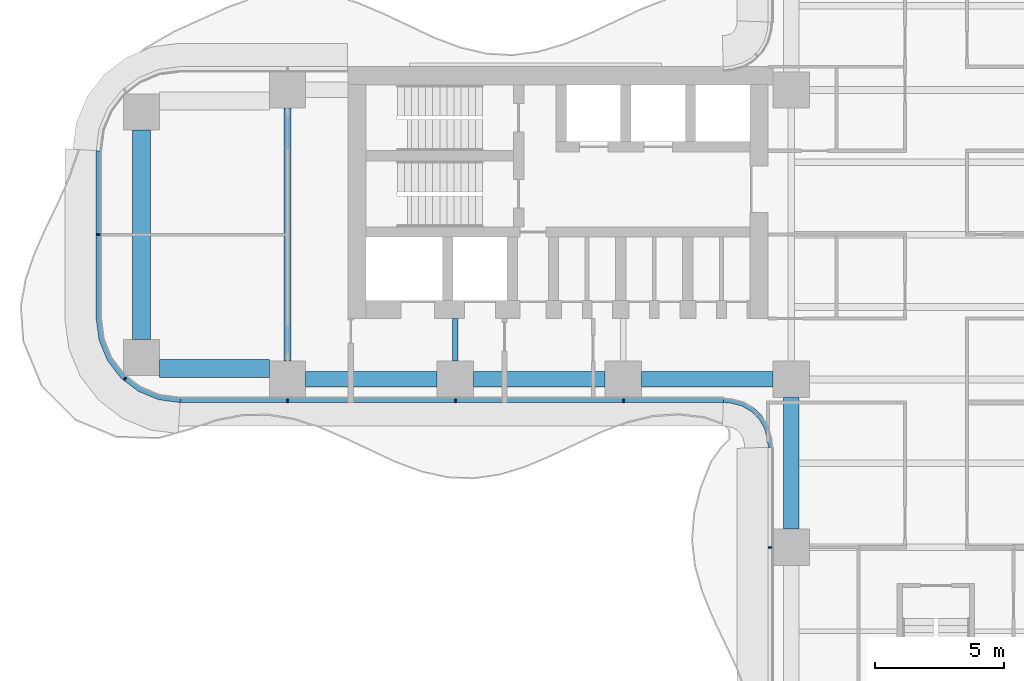
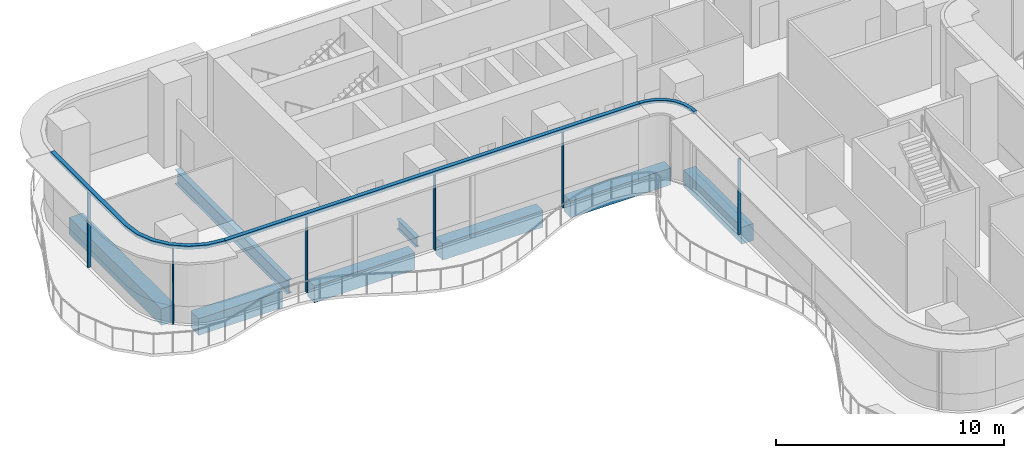
# One storey, part 3 of 22: 9 members, 8 beams, 4 elements without a shape of their own.
"""IFC4 building model written with IfcOpenShell, lengths in metres."""

from ifc_helpers import new_model, si_unit, direction, frame, origin, origin_2d, place, context, subcontext, project, spatial, polyline, rectangle, i_section, outline, extrude, source, transform, mapped, material, layer, layer_set, material_profile, profile_set, type_object, element, aggregate, save


model = new_model("IFC4")

# Units and contexts
model_context = context("Model", 3, precision=1e-05, world=origin(), true_north=direction((0.0, 1.0)))
body_context = subcontext(model_context, "Body", "Model", "MODEL_VIEW")
ifc_project = project(units=[si_unit("LENGTHUNIT", "METRE"), si_unit("AREAUNIT", "SQUARE_METRE"), si_unit("VOLUMEUNIT", "CUBIC_METRE"), si_unit("PLANEANGLEUNIT", "RADIAN"), si_unit("MASSUNIT", "GRAM", prefix="KILO")], contexts=[model_context])

# Site, building, storey
site_placement = place(None, origin())
site = spatial("IfcSite", under=ifc_project, at=site_placement, CompositionType="ELEMENT")
building_placement = place(site_placement, origin())
building = spatial("IfcBuilding", under=site, at=building_placement, Name="Trellis Farm Tower", CompositionType="ELEMENT")
storey_placement = place(building_placement, frame((0.0, 0.0, 79.0)))
storey = spatial("IfcBuildingStorey", under=building, at=storey_placement, Name="L16", CompositionType="ELEMENT", Elevation=79.0)

# Beams
ifc_material_1 = material(Name="Concrete C60/75", Category="concrete")
ifc_material_profile_1 = material_profile(ifc_material_1, rectangle(XDim=0.60009765625, YDim=0.89990234375, at=origin_2d()), Name="RC spandrel beam 600x900 C60/75")
ifc_profile_set_1 = profile_set([ifc_material_profile_1], Name="Concrete C60/75")
beam_type_1 = type_object("IfcBeamType", Name="RC spandrel beam 600x900 C60/75", PredefinedType="SPANDREL", material=ifc_profile_set_1)
shared_shape_1 = source(origin(), body_context, "Body", "SweptSolid", [
    extrude(rectangle(XDim=0.60009765625, YDim=0.89990234375, at=origin_2d()), origin(), (0.0, 0.0, 1.0), 5.099853515625),
])
for number, where, z_axis, x_axis, name in (
    (1, (-24.39990234375, -5.60009765625, -0.699951171875), (1.0, 0.0, 0.0), (0.0, 1.0, 0.0), "Girder"),
    (2, (-17.89990234375, -5.60009765625, -0.699951171875), (1.0, 0.0, 0.0), (0.0, 1.0, 0.0), "Girder"),
    (3, (-11.39990234375, -5.60009765625, -0.699951171875), (1.0, 0.0, 0.0), (0.0, 1.0, 0.0), "Girder"),
    (4, (-5.60009765625, -11.39990234375, -0.699951171875), (0.0, 1.0, 0.0), (-1.0, 0.0, 0.0), "Girder"),
):
    element("IfcBeam", number, at=place(storey_placement, frame(where, z_axis=z_axis, x_axis=x_axis)), inside=storey, type_object=beam_type_1, Name=name, PredefinedType="SPANDREL", context=body_context, shape_type="MappedRepresentation", body=[
        mapped(shared_shape_1, transform((0.0, 0.0, 0.0))),
    ])
ifc_material_2 = material(Name="Steel S355", Category="steel")
ifc_material_profile_2 = material_profile(ifc_material_2, i_section(OverallWidth=0.2666015625, OverallDepth=0.76220703125, WebThickness=0.014404296875, FlangeThickness=0.021484375, FilletRadius=0.0166015625, at=origin_2d()), Name="UB 762x267x173")
ifc_profile_set_2 = profile_set([ifc_material_profile_2], Name="Steel S355")
beam_type_2 = type_object("IfcBeamType", Name="UB 762x267x173", PredefinedType="BEAM", material=ifc_profile_set_2)
shared_shape_2 = source(origin(), body_context, "Body", "SweptSolid", [
    extrude(i_section(OverallWidth=0.2666015625, OverallDepth=0.76220703125, WebThickness=0.014404296875, FlangeThickness=0.021484375, FilletRadius=0.0166015625, at=origin_2d()), origin(), (0.0, 0.0, 1.0), 9.7998046875),
])
beam_1_placement = place(storey_placement, frame((-25.10009765625, -4.89990234375, -0.631103515625), z_axis=(0.0, 1.0, 0.0), x_axis=(-1.0, 0.0, 0.0)))
element("IfcBeam", 5, at=beam_1_placement, inside=storey, type_object=beam_type_2, Name="Girder", PredefinedType="BEAM", context=body_context, shape_type="MappedRepresentation", body=[
    mapped(shared_shape_2, transform((0.0, 0.0, 0.0))),
])
ifc_material_profile_3 = material_profile(ifc_material_1, rectangle(XDim=0.699951171875, YDim=0.89990234375, at=origin_2d()), Name="RC spandrel beam 700x900 C60/75")
ifc_profile_set_3 = profile_set([ifc_material_profile_3], Name="Concrete C60/75")
beam_type_3 = type_object("IfcBeamType", Name="RC spandrel beam 700x900 C60/75", PredefinedType="SPANDREL", material=ifc_profile_set_3)
shared_shape_3 = source(origin(), body_context, "Body", "SweptSolid", [
    extrude(rectangle(XDim=0.699951171875, YDim=0.89990234375, at=origin_2d()), origin(), (0.0, 0.0, 1.0), 4.25),
])
beam_2_placement = place(storey_placement, frame((-30.050048828125, -5.175048828125, -0.699951171875), z_axis=(1.0, 0.0, 0.0), x_axis=(0.0, 1.0, 0.0)))
element("IfcBeam", 6, at=beam_2_placement, inside=storey, type_object=beam_type_3, Name="Girder", PredefinedType="SPANDREL", context=body_context, shape_type="MappedRepresentation", body=[
    mapped(shared_shape_3, transform((0.0, 0.0, 0.0))),
])
shared_shape_4 = source(origin(), body_context, "Body", "SweptSolid", [
    extrude(rectangle(XDim=0.699951171875, YDim=0.89990234375, at=origin_2d()), origin(), (0.0, 0.0, 1.0), 8.10009765625),
])
beam_3_placement = place(storey_placement, frame((-30.75, -4.050048828125, -0.699951171875), z_axis=(0.0, 1.0, 0.0), x_axis=(-1.0, 0.0, 0.0)))
element("IfcBeam", 7, at=beam_3_placement, inside=storey, type_object=beam_type_3, Name="Girder", PredefinedType="SPANDREL", context=body_context, shape_type="MappedRepresentation", body=[
    mapped(shared_shape_4, transform((0.0, 0.0, 0.0))),
])
ifc_material_profile_4 = material_profile(ifc_material_2, i_section(OverallWidth=0.209228515625, OverallDepth=0.533203125, WebThickness=0.010009765625, FlangeThickness=0.015625, FilletRadius=0.0126953125, at=origin_2d()), Name="UB 533x210x92")
ifc_profile_set_4 = profile_set([ifc_material_profile_4], Name="Steel S355")
beam_type_4 = type_object("IfcBeamType", Name="UB 533x210x92", PredefinedType="BEAM", material=ifc_profile_set_4)
shared_shape_5 = source(origin(), body_context, "Body", "SweptSolid", [
    extrude(i_section(OverallWidth=0.209228515625, OverallDepth=0.533203125, WebThickness=0.010009765625, FlangeThickness=0.015625, FilletRadius=0.0126953125, at=origin_2d()), origin(), (0.0, 0.0, 1.0), 1.64990234375),
])
beam_4_placement = place(storey_placement, frame((-18.60009765625, -4.89990234375, -0.5166015625), z_axis=(0.0, 1.0, 0.0), x_axis=(-1.0, 0.0, 0.0)))
element("IfcBeam", 8, at=beam_4_placement, inside=storey, type_object=beam_type_4, Name="Girder", PredefinedType="BEAM", context=body_context, shape_type="MappedRepresentation", body=[
    mapped(shared_shape_5, transform((0.0, 0.0, 0.0))),
])

# Curtain wall, members
ifc_material_3 = material(Name="Aluminium and glass curtain wall", Category="aluminium")
ifc_layer_1 = layer(ifc_material_3, 0.18994140625)
ifc_layer_set_1 = layer_set([ifc_layer_1], Name="RIBBON CURTAIN WALL CW1")
curtain_wall_type_1 = type_object("IfcCurtainWallType", Name="RIBBON CURTAIN WALL CW1", PredefinedType="NOTDEFINED", material=ifc_layer_set_1)
placement_1 = place(storey_placement, origin())
curtain_wall_1 = element("IfcCurtainWall", 9, at=placement_1, inside=storey, type_object=curtain_wall_type_1, Name="CW1 001", PredefinedType="NOTDEFINED")
ifc_material_4 = material(Name="Aluminium extrusion 6063-T6", Category="aluminium")
ifc_material_profile_5 = material_profile(ifc_material_4, rectangle(XDim=0.06005859375, YDim=0.14990234375, at=origin_2d()), Name="MULLION 60x150")
ifc_profile_set_5 = profile_set([ifc_material_profile_5], Name="Aluminium extrusion 6063-T6")
member_type_1 = type_object("IfcMemberType", Name="CW1 MULLION 60x150", PredefinedType="MULLION", material=ifc_profile_set_5)
shared_shape_6 = source(origin(), body_context, "Body", "SweptSolid", [
    extrude(rectangle(XDim=0.06005859375, YDim=0.14990234375, at=origin_2d()), origin(), (0.0, 0.0, 1.0), 4.070068359375),
])
member_1_placement = place(storey_placement, frame((-25.10009765625, -6.425048828125, 0.0), z_axis=(0.0, 0.0, 1.0), x_axis=(1.0, 0.0, 0.0)))
member_1 = element("IfcMember", 10, at=member_1_placement, type_object=member_type_1, Name="MU1 001-01", PredefinedType="MULLION", context=body_context, shape_type="MappedRepresentation", body=[
    mapped(shared_shape_6, transform((0.0, 0.0, 0.0))),
])
member_2_placement = place(storey_placement, frame((-18.60009765625, -6.425048828125, 0.0), z_axis=(0.0, 0.0, 1.0), x_axis=(1.0, 0.0, 0.0)))
member_2 = element("IfcMember", 11, at=member_2_placement, type_object=member_type_1, Name="MU1 001-02", PredefinedType="MULLION", context=body_context, shape_type="MappedRepresentation", body=[
    mapped(shared_shape_6, transform((0.0, 0.0, 0.0))),
])
member_3_placement = place(storey_placement, frame((-12.10009765625, -6.425048828125, 0.0), z_axis=(0.0, 0.0, 1.0), x_axis=(1.0, 0.0, 0.0)))
member_3 = element("IfcMember", 12, at=member_3_placement, type_object=member_type_1, Name="MU1 001-03", PredefinedType="MULLION", context=body_context, shape_type="MappedRepresentation", body=[
    mapped(shared_shape_6, transform((0.0, 0.0, 0.0))),
])

# Curtain wall, member
curtain_wall_2 = element("IfcCurtainWall", 13, at=placement_1, inside=storey, type_object=curtain_wall_type_1, Name="CW1 002", PredefinedType="NOTDEFINED")
member_4_placement = place(storey_placement, frame((-6.425048828125, -12.10009765625, 0.0), z_axis=(0.0, 0.0, 1.0), x_axis=(0.0, -1.0, 0.0)))
member_4 = element("IfcMember", 14, at=member_4_placement, type_object=member_type_1, Name="MU1 002-01", PredefinedType="MULLION", context=body_context, shape_type="MappedRepresentation", body=[
    mapped(shared_shape_6, transform((0.0, 0.0, 0.0))),
])
aggregate(curtain_wall_2, [member_4])

# Curtain wall, members
curtain_wall_3 = element("IfcCurtainWall", 15, at=placement_1, inside=storey, type_object=curtain_wall_type_1, Name="CW1 013", PredefinedType="NOTDEFINED")
member_5_placement = place(storey_placement, frame((-32.425048828125, 0.0, 0.0), z_axis=(0.0, 0.0, 1.0), x_axis=(0.0, -1.0, 0.0)))
member_5 = element("IfcMember", 16, at=member_5_placement, type_object=member_type_1, Name="MU1 013-01", PredefinedType="MULLION", context=body_context, shape_type="MappedRepresentation", body=[
    mapped(shared_shape_6, transform((0.0, 0.0, 0.0))),
])
member_6_placement = place(storey_placement, frame((-31.385498046875, -5.578369140625, 0.0), z_axis=(0.0, 0.0, 1.0), x_axis=(0.793353340291, -0.608761429009, 0.0)))
member_6 = element("IfcMember", 17, at=member_6_placement, type_object=member_type_1, Name="MU1 013-02", PredefinedType="MULLION", context=body_context, shape_type="MappedRepresentation", body=[
    mapped(shared_shape_6, transform((0.0, 0.0, 0.0))),
])

# Member
ifc_layer_2 = layer(ifc_material_4, 0.199951171875)
ifc_layer_set_2 = layer_set([ifc_layer_2], Name="Aluminium extrusion 6063-T6")
member_type_2 = type_object("IfcMemberType", Name="CW1 TRANSOM 200x180", PredefinedType="USERDEFINED", material=ifc_layer_set_2)
shared_shape_7 = source(origin(), body_context, "Body", "SweptSolid", [
    extrude(outline(polyline([(-29.25, -6.5), (-8.2314453125, -6.5), (-8.224853515625, -6.300048828125), (-29.23681640625, -6.300048828125), (-29.25, -6.5)])), origin(), (0.0, 0.0, 1.0), 0.179931640625),
])
placement_2 = place(storey_placement, frame((0.0, 0.0, 4.070068359375)))
member_7 = element("IfcMember", 18, at=placement_2, type_object=member_type_2, Name="TR1 001", ObjectType="TRANSOM", PredefinedType="USERDEFINED", context=body_context, shape_type="MappedRepresentation", body=[
    mapped(shared_shape_7, transform((0.0, 0.0, 0.0))),
])

aggregate(curtain_wall_1, [member_1, member_2, member_3, member_7])

# Curtain wall, member
ifc_layer_3 = layer(ifc_material_3, 0.166015625)
ifc_layer_set_3 = layer_set([ifc_layer_3], Name="WINTER GARDEN CURTAIN WALL CW3")
curtain_wall_type_2 = type_object("IfcCurtainWallType", Name="WINTER GARDEN CURTAIN WALL CW3", PredefinedType="NOTDEFINED", material=ifc_layer_set_3)
curtain_wall_4 = element("IfcCurtainWall", 19, at=placement_1, inside=storey, type_object=curtain_wall_type_2, Name="CW3 001", PredefinedType="NOTDEFINED")
ifc_layer_4 = layer(ifc_material_4, 0.169921875)
ifc_layer_set_4 = layer_set([ifc_layer_4], Name="Aluminium extrusion 6063-T6")
member_type_3 = type_object("IfcMemberType", Name="CW3 TRANSOM 170x150", PredefinedType="USERDEFINED", material=ifc_layer_set_4)
shared_shape_8 = source(origin(), body_context, "Body", "SweptSolid", [
    extrude(outline(polyline([(-8.2314453125, -6.5), (-8.01953125, -6.513916015625), (-7.91552734375, -6.527587890625), (-7.508544921875, -6.63671875), (-7.144287109375, -6.846923828125), (-6.846923828125, -7.144287109375), (-6.63671875, -7.508544921875), (-6.527587890625, -7.91552734375), (-6.513916015625, -8.01953125), (-6.5, -8.2314453125), (-6.330078125, -8.225830078125), (-6.3447265625, -8.0029296875), (-6.360595703125, -7.88232421875), (-6.478271484375, -7.44287109375), (-6.7109375, -7.0400390625), (-7.0400390625, -6.7109375), (-7.44287109375, -6.478271484375), (-7.88232421875, -6.360595703125), (-8.0029296875, -6.3447265625), (-8.225830078125, -6.330078125), (-8.2314453125, -6.5)])), origin(), (0.0, 0.0, 1.0), 0.14990234375),
])
member_8_placement = place(storey_placement, frame((0.0, 0.0, 4.10009765625)))
member_8 = element("IfcMember", 20, at=member_8_placement, type_object=member_type_3, Name="TR3 001", ObjectType="TRANSOM", PredefinedType="USERDEFINED", context=body_context, shape_type="MappedRepresentation", body=[
    mapped(shared_shape_8, transform((0.0, 0.0, 0.0))),
])
aggregate(curtain_wall_4, [member_8])

# Member
shared_shape_9 = source(origin(), body_context, "Body", "SweptSolid", [
    extrude(outline(polyline([(-32.5, 3.25), (-32.5, -3.25), (-32.38916015625, -4.091064453125), (-32.064697265625, -4.875), (-31.548095703125, -5.548095703125), (-30.875, -6.064697265625), (-30.091064453125, -6.38916015625), (-29.25, -6.5), (-29.23681640625, -6.300048828125), (-30.0390625, -6.1943359375), (-30.774169921875, -5.889892578125), (-31.405517578125, -5.405517578125), (-31.889892578125, -4.774169921875), (-32.1943359375, -4.0390625), (-32.300048828125, -3.23681640625), (-32.300048828125, 3.23681640625), (-32.5, 3.25)])), origin(), (0.0, 0.0, 1.0), 0.179931640625),
])
member_9 = element("IfcMember", 21, at=placement_2, type_object=member_type_2, Name="TR1 013", ObjectType="TRANSOM", PredefinedType="USERDEFINED", context=body_context, shape_type="MappedRepresentation", body=[
    mapped(shared_shape_9, transform((0.0, 0.0, 0.0))),
])

aggregate(curtain_wall_3, [member_5, member_6, member_9])

save(model, "model.ifc")
